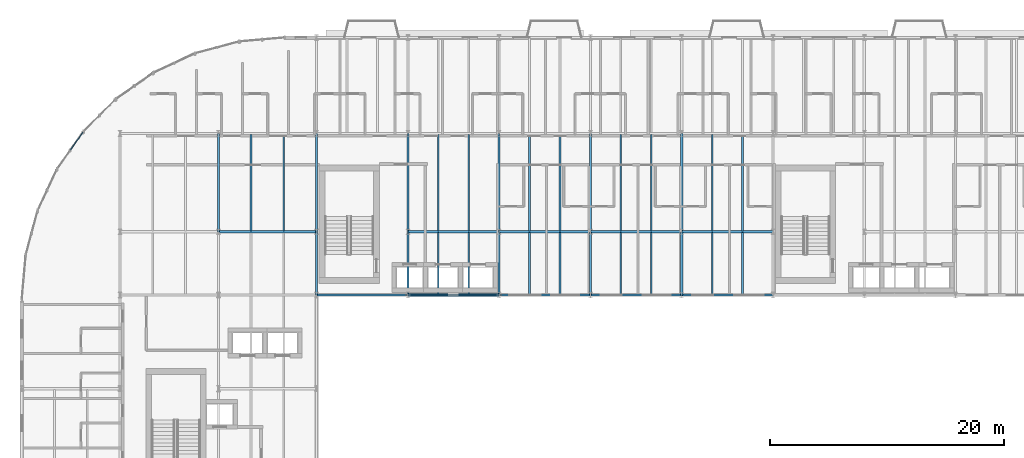
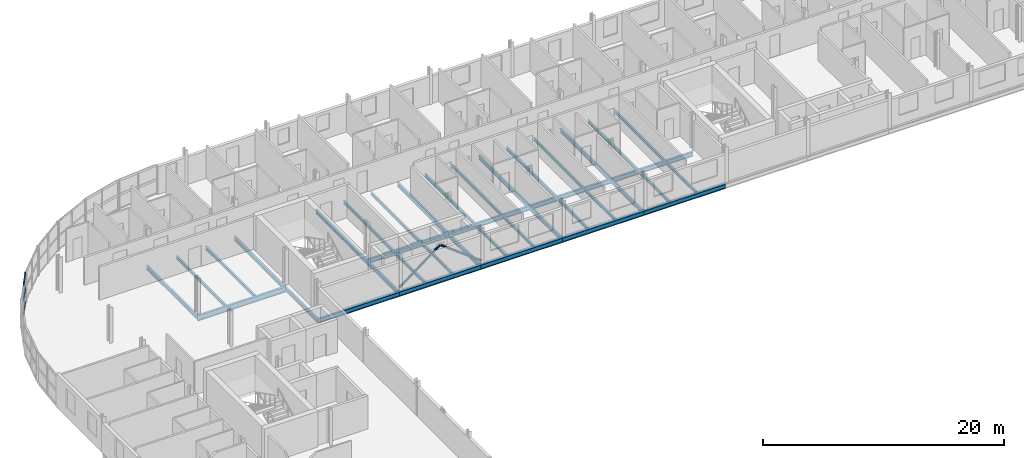
# One storey, part 10 of 36: 39 beams, 5 members, 1 element without a shape of its own.
"""IFC4 building model written with IfcOpenShell, lengths in metres."""

from ifc_helpers import new_model, si_unit, direction, frame, origin, origin_2d, place, context, subcontext, project, spatial, rectangle, hollow_circle, i_section, extrude, material, layer, layer_set, material_profile, profile_set, type_object, element, aggregate, save


model = new_model("IFC4")

# Units and contexts
model_context = context("Model", 3, precision=1e-05, world=origin(), true_north=direction((0.0, 1.0)))
body_context = subcontext(model_context, "Body", "Model", "MODEL_VIEW")
ifc_project = project(units=[si_unit("LENGTHUNIT", "METRE"), si_unit("AREAUNIT", "SQUARE_METRE"), si_unit("VOLUMEUNIT", "CUBIC_METRE"), si_unit("PLANEANGLEUNIT", "RADIAN"), si_unit("MASSUNIT", "GRAM", prefix="KILO")], contexts=[model_context])

# Site, building, storey
site_placement = place(None, origin())
site = spatial("IfcSite", under=ifc_project, at=site_placement, CompositionType="ELEMENT")
building_placement = place(site_placement, origin())
building = spatial("IfcBuilding", under=site, at=building_placement, Name="Sefraquen Railside Congress Hotel", CompositionType="ELEMENT")
storey_placement = place(building_placement, frame((0.0, 0.0, 28.199951171875)))
storey = spatial("IfcBuildingStorey", under=building, at=storey_placement, Name="L06", CompositionType="ELEMENT", Elevation=28.199951171875)

# Beams
ifc_material_1 = material(Name="Steel S355JR", Category="steel")
ifc_material_profile_1 = material_profile(ifc_material_1, i_section(OverallWidth=0.179931640625, OverallDepth=0.39990234375, WebThickness=0.008544921875, FlangeThickness=0.013427734375, FilletRadius=0.02099609375, at=origin_2d()), Name="IPE 400")
ifc_profile_set_1 = profile_set([ifc_material_profile_1], Name="Steel S355JR")
beam_type_1 = type_object("IfcBeamType", Name="TB-BM-400I", PredefinedType="BEAM", material=ifc_profile_set_1)
beam_1_placement = place(storey_placement, frame((16.800048828125, 101.39990234375, -0.4599609375), z_axis=(0.0, 1.0, 0.0), x_axis=(-1.0, 0.0, 0.0)))
element("IfcBeam", 1, at=beam_1_placement, inside=storey, type_object=beam_type_1, Name="Floor beam BM-L06-1663", PredefinedType="BEAM", context=body_context, shape_type="SweptSolid", body=[
    extrude(i_section(OverallWidth=0.179931640625, OverallDepth=0.39990234375, WebThickness=0.008544921875, FlangeThickness=0.013427734375, FilletRadius=0.02099609375, at=origin_2d()), origin(), (0.0, 0.0, 1.0), 8.400146484375),
])
beam_2_placement = place(storey_placement, frame((25.199951171875, 96.0, -0.4599609375), z_axis=(0.0, 1.0, 0.0), x_axis=(-1.0, 0.0, 0.0)))
element("IfcBeam", 2, at=beam_2_placement, inside=storey, type_object=beam_type_1, Name="Floor beam BM-L06-1668", PredefinedType="BEAM", context=body_context, shape_type="SweptSolid", body=[
    extrude(i_section(OverallWidth=0.179931640625, OverallDepth=0.39990234375, WebThickness=0.008544921875, FlangeThickness=0.013427734375, FilletRadius=0.02099609375, at=origin_2d()), origin(), (0.0, 0.0, 1.0), 5.39990234375),
])
beam_3_placement = place(storey_placement, frame((25.199951171875, 101.39990234375, -0.4599609375), z_axis=(0.0, 1.0, 0.0), x_axis=(-1.0, 0.0, 0.0)))
element("IfcBeam", 3, at=beam_3_placement, inside=storey, type_object=beam_type_1, Name="Floor beam BM-L06-1669", PredefinedType="BEAM", context=body_context, shape_type="SweptSolid", body=[
    extrude(i_section(OverallWidth=0.179931640625, OverallDepth=0.39990234375, WebThickness=0.008544921875, FlangeThickness=0.013427734375, FilletRadius=0.02099609375, at=origin_2d()), origin(), (0.0, 0.0, 1.0), 8.400146484375),
])
beam_4_placement = place(storey_placement, frame((33.0, 96.0, -0.4599609375), z_axis=(0.0, 1.0, 0.0), x_axis=(-1.0, 0.0, 0.0)))
element("IfcBeam", 4, at=beam_4_placement, inside=storey, type_object=beam_type_1, Name="Floor beam BM-L06-1671", PredefinedType="BEAM", context=body_context, shape_type="SweptSolid", body=[
    extrude(i_section(OverallWidth=0.179931640625, OverallDepth=0.39990234375, WebThickness=0.008544921875, FlangeThickness=0.013427734375, FilletRadius=0.02099609375, at=origin_2d()), origin(), (0.0, 0.0, 1.0), 5.39990234375),
])
beam_5_placement = place(storey_placement, frame((33.0, 101.39990234375, -0.4599609375), z_axis=(0.0, 1.0, 0.0), x_axis=(-1.0, 0.0, 0.0)))
element("IfcBeam", 5, at=beam_5_placement, inside=storey, type_object=beam_type_1, Name="Floor beam BM-L06-1672", PredefinedType="BEAM", context=body_context, shape_type="SweptSolid", body=[
    extrude(i_section(OverallWidth=0.179931640625, OverallDepth=0.39990234375, WebThickness=0.008544921875, FlangeThickness=0.013427734375, FilletRadius=0.02099609375, at=origin_2d()), origin(), (0.0, 0.0, 1.0), 8.400146484375),
])
beam_6_placement = place(storey_placement, frame((40.800048828125, 96.0, -0.4599609375), z_axis=(0.0, 1.0, 0.0), x_axis=(-1.0, 0.0, 0.0)))
element("IfcBeam", 6, at=beam_6_placement, inside=storey, type_object=beam_type_1, Name="Floor beam BM-L06-1674", PredefinedType="BEAM", context=body_context, shape_type="SweptSolid", body=[
    extrude(i_section(OverallWidth=0.179931640625, OverallDepth=0.39990234375, WebThickness=0.008544921875, FlangeThickness=0.013427734375, FilletRadius=0.02099609375, at=origin_2d()), origin(), (0.0, 0.0, 1.0), 5.39990234375),
])
beam_7_placement = place(storey_placement, frame((40.800048828125, 101.39990234375, -0.4599609375), z_axis=(0.0, 1.0, 0.0), x_axis=(-1.0, 0.0, 0.0)))
element("IfcBeam", 7, at=beam_7_placement, inside=storey, type_object=beam_type_1, Name="Floor beam BM-L06-1675", PredefinedType="BEAM", context=body_context, shape_type="SweptSolid", body=[
    extrude(i_section(OverallWidth=0.179931640625, OverallDepth=0.39990234375, WebThickness=0.008544921875, FlangeThickness=0.013427734375, FilletRadius=0.02099609375, at=origin_2d()), origin(), (0.0, 0.0, 1.0), 8.400146484375),
])
beam_8_placement = place(storey_placement, frame((48.60009765625, 96.0, -0.4599609375), z_axis=(0.0, 1.0, 0.0), x_axis=(-1.0, 0.0, 0.0)))
element("IfcBeam", 8, at=beam_8_placement, inside=storey, type_object=beam_type_1, Name="Floor beam BM-L06-1677", PredefinedType="BEAM", context=body_context, shape_type="SweptSolid", body=[
    extrude(i_section(OverallWidth=0.179931640625, OverallDepth=0.39990234375, WebThickness=0.008544921875, FlangeThickness=0.013427734375, FilletRadius=0.02099609375, at=origin_2d()), origin(), (0.0, 0.0, 1.0), 5.39990234375),
])
beam_9_placement = place(storey_placement, frame((48.60009765625, 101.39990234375, -0.4599609375), z_axis=(0.0, 1.0, 0.0), x_axis=(-1.0, 0.0, 0.0)))
element("IfcBeam", 9, at=beam_9_placement, inside=storey, type_object=beam_type_1, Name="Floor beam BM-L06-1678", PredefinedType="BEAM", context=body_context, shape_type="SweptSolid", body=[
    extrude(i_section(OverallWidth=0.179931640625, OverallDepth=0.39990234375, WebThickness=0.008544921875, FlangeThickness=0.013427734375, FilletRadius=0.02099609375, at=origin_2d()), origin(), (0.0, 0.0, 1.0), 8.400146484375),
])
beam_10_placement = place(storey_placement, frame((56.39990234375, 96.0, -0.4599609375), z_axis=(0.0, 1.0, 0.0), x_axis=(-1.0, 0.0, 0.0)))
element("IfcBeam", 10, at=beam_10_placement, inside=storey, type_object=beam_type_1, Name="Floor beam BM-L06-1680", PredefinedType="BEAM", context=body_context, shape_type="SweptSolid", body=[
    extrude(i_section(OverallWidth=0.179931640625, OverallDepth=0.39990234375, WebThickness=0.008544921875, FlangeThickness=0.013427734375, FilletRadius=0.02099609375, at=origin_2d()), origin(), (0.0, 0.0, 1.0), 5.39990234375),
])
beam_11_placement = place(storey_placement, frame((56.39990234375, 101.39990234375, -0.4599609375), z_axis=(0.0, 1.0, 0.0), x_axis=(-1.0, 0.0, 0.0)))
element("IfcBeam", 11, at=beam_11_placement, inside=storey, type_object=beam_type_1, Name="Floor beam BM-L06-1681", PredefinedType="BEAM", context=body_context, shape_type="SweptSolid", body=[
    extrude(i_section(OverallWidth=0.179931640625, OverallDepth=0.39990234375, WebThickness=0.008544921875, FlangeThickness=0.013427734375, FilletRadius=0.02099609375, at=origin_2d()), origin(), (0.0, 0.0, 1.0), 8.400146484375),
])
ifc_material_profile_2 = material_profile(ifc_material_1, i_section(OverallWidth=0.18994140625, OverallDepth=0.449951171875, WebThickness=0.009521484375, FlangeThickness=0.0146484375, FilletRadius=0.02099609375, at=origin_2d()), Name="IPE 450")
ifc_profile_set_2 = profile_set([ifc_material_profile_2], Name="Steel S355JR")
beam_type_2 = type_object("IfcBeamType", Name="TB-BM-450", PredefinedType="BEAM", material=ifc_profile_set_2)
for number, where, z_axis, x_axis, name in (
    (12, (25.199951171875, 96.0, -0.48486328125), (1.0, 0.0, 0.0), (0.0, 1.0, 0.0), "Primary girder BM-L06-1599"),
    (13, (33.0, 96.0, -0.48486328125), (1.0, 0.0, 0.0), (0.0, 1.0, 0.0), "Primary girder BM-L06-1600"),
    (14, (40.800048828125, 96.0, -0.48486328125), (1.0, 0.0, 0.0), (0.0, 1.0, 0.0), "Primary girder BM-L06-1601"),
):
    element("IfcBeam", number, at=place(storey_placement, frame(where, z_axis=z_axis, x_axis=x_axis)), inside=storey, type_object=beam_type_2, Name=name, PredefinedType="BEAM", context=body_context, shape_type="SweptSolid", body=[
        extrude(i_section(OverallWidth=0.18994140625, OverallDepth=0.449951171875, WebThickness=0.009521484375, FlangeThickness=0.0146484375, FilletRadius=0.02099609375, at=origin_2d()), origin(), (0.0, 0.0, 1.0), 7.800048828125),
    ])
beam_12_placement = place(storey_placement, frame((48.60009765625, 96.0, -0.48486328125), z_axis=(1.0, 0.0, 0.0), x_axis=(0.0, 1.0, 0.0)))
element("IfcBeam", 15, at=beam_12_placement, inside=storey, type_object=beam_type_2, Name="Primary girder BM-L06-1602", PredefinedType="BEAM", context=body_context, shape_type="SweptSolid", body=[
    extrude(i_section(OverallWidth=0.18994140625, OverallDepth=0.449951171875, WebThickness=0.009521484375, FlangeThickness=0.0146484375, FilletRadius=0.02099609375, at=origin_2d()), origin(), (0.0, 0.0, 1.0), 7.7998046875),
])
for number, where, z_axis, x_axis, name in (
    (16, (56.39990234375, 96.0, -0.48486328125), (1.0, 0.0, 0.0), (0.0, 1.0, 0.0), "Primary girder BM-L06-1603"),
    (17, (33.0, 101.39990234375, -0.48486328125), (1.0, 0.0, 0.0), (0.0, 1.0, 0.0), "Primary girder BM-L06-1613"),
    (18, (40.800048828125, 101.39990234375, -0.48486328125), (1.0, 0.0, 0.0), (0.0, 1.0, 0.0), "Primary girder BM-L06-1614"),
):
    element("IfcBeam", number, at=place(storey_placement, frame(where, z_axis=z_axis, x_axis=x_axis)), inside=storey, type_object=beam_type_2, Name=name, PredefinedType="BEAM", context=body_context, shape_type="SweptSolid", body=[
        extrude(i_section(OverallWidth=0.18994140625, OverallDepth=0.449951171875, WebThickness=0.009521484375, FlangeThickness=0.0146484375, FilletRadius=0.02099609375, at=origin_2d()), origin(), (0.0, 0.0, 1.0), 7.800048828125),
    ])
beam_13_placement = place(storey_placement, frame((48.60009765625, 101.39990234375, -0.48486328125), z_axis=(1.0, 0.0, 0.0), x_axis=(0.0, 1.0, 0.0)))
element("IfcBeam", 19, at=beam_13_placement, inside=storey, type_object=beam_type_2, Name="Primary girder BM-L06-1615", PredefinedType="BEAM", context=body_context, shape_type="SweptSolid", body=[
    extrude(i_section(OverallWidth=0.18994140625, OverallDepth=0.449951171875, WebThickness=0.009521484375, FlangeThickness=0.0146484375, FilletRadius=0.02099609375, at=origin_2d()), origin(), (0.0, 0.0, 1.0), 7.7998046875),
])
beam_14_placement = place(storey_placement, frame((56.39990234375, 101.39990234375, -0.48486328125), z_axis=(1.0, 0.0, 0.0), x_axis=(0.0, 1.0, 0.0)))
element("IfcBeam", 20, at=beam_14_placement, inside=storey, type_object=beam_type_2, Name="Primary girder BM-L06-1616", PredefinedType="BEAM", context=body_context, shape_type="SweptSolid", body=[
    extrude(i_section(OverallWidth=0.18994140625, OverallDepth=0.449951171875, WebThickness=0.009521484375, FlangeThickness=0.0146484375, FilletRadius=0.02099609375, at=origin_2d()), origin(), (0.0, 0.0, 1.0), 7.800048828125),
])
ifc_material_profile_3 = material_profile(ifc_material_1, i_section(OverallWidth=0.2099609375, OverallDepth=0.550048828125, WebThickness=0.010986328125, FlangeThickness=0.01708984375, FilletRadius=0.02392578125, at=origin_2d()), Name="IPE 550")
ifc_profile_set_3 = profile_set([ifc_material_profile_3], Name="Steel S355JR")
beam_type_3 = type_object("IfcBeamType", Name="TB-GIR-550", PredefinedType="T_BEAM", material=ifc_profile_set_3)
beam_15_placement = place(storey_placement, frame((16.800048828125, 101.39990234375, -0.534912109375), z_axis=(1.0, 0.0, 0.0), x_axis=(0.0, 1.0, 0.0)))
element("IfcBeam", 21, at=beam_15_placement, inside=storey, type_object=beam_type_3, Name="Primary girder BM-L06-1612", PredefinedType="T_BEAM", context=body_context, shape_type="SweptSolid", body=[
    extrude(i_section(OverallWidth=0.2099609375, OverallDepth=0.550048828125, WebThickness=0.010986328125, FlangeThickness=0.01708984375, FilletRadius=0.02392578125, at=origin_2d()), origin(), (0.0, 0.0, 1.0), 8.39990234375),
])
ifc_material_profile_4 = material_profile(ifc_material_1, i_section(OverallWidth=0.14990234375, OverallDepth=0.300048828125, WebThickness=0.007080078125, FlangeThickness=0.0107421875, FilletRadius=0.014892578125, at=origin_2d()), Name="IPE 300")
ifc_profile_set_4 = profile_set([ifc_material_profile_4], Name="Steel S355JR")
beam_type_4 = type_object("IfcBeamType", Name="TB-JST-300", PredefinedType="JOIST", material=ifc_profile_set_4)
for number, where, z_axis, x_axis, name in (
    (22, (19.60009765625, 101.485107421875, -0.409912109375), (0.0, 1.0, 0.0), (-1.0, 0.0, 0.0), "Composite floor joist BM-L06-J1078"),
    (23, (22.39990234375, 101.485107421875, -0.409912109375), (0.0, 1.0, 0.0), (-1.0, 0.0, 0.0), "Composite floor joist BM-L06-J1079"),
):
    element("IfcBeam", number, at=place(storey_placement, frame(where, z_axis=z_axis, x_axis=x_axis)), inside=storey, type_object=beam_type_4, Name=name, PredefinedType="JOIST", context=body_context, shape_type="SweptSolid", body=[
        extrude(i_section(OverallWidth=0.14990234375, OverallDepth=0.300048828125, WebThickness=0.007080078125, FlangeThickness=0.0107421875, FilletRadius=0.014892578125, at=origin_2d()), origin(), (0.0, 0.0, 1.0), 8.22998046875),
    ])
for number, where, z_axis, x_axis, name in (
    (24, (35.60009765625, 96.074951171875, -0.409912109375), (0.0, 1.0, 0.0), (-1.0, 0.0, 0.0), "Composite floor joist BM-L06-J1082"),
    (25, (38.199951171875, 96.074951171875, -0.409912109375), (0.0, 1.0, 0.0), (-1.0, 0.0, 0.0), "Composite floor joist BM-L06-J1083"),
):
    element("IfcBeam", number, at=place(storey_placement, frame(where, z_axis=z_axis, x_axis=x_axis)), inside=storey, type_object=beam_type_4, Name=name, PredefinedType="JOIST", context=body_context, shape_type="SweptSolid", body=[
        extrude(i_section(OverallWidth=0.14990234375, OverallDepth=0.300048828125, WebThickness=0.007080078125, FlangeThickness=0.0107421875, FilletRadius=0.014892578125, at=origin_2d()), origin(), (0.0, 0.0, 1.0), 5.25),
    ])
for number, where, z_axis, x_axis, name in (
    (26, (35.60009765625, 101.47509765625, -0.409912109375), (0.0, 1.0, 0.0), (-1.0, 0.0, 0.0), "Composite floor joist BM-L06-J1084"),
    (27, (38.199951171875, 101.47509765625, -0.409912109375), (0.0, 1.0, 0.0), (-1.0, 0.0, 0.0), "Composite floor joist BM-L06-J1085"),
):
    element("IfcBeam", number, at=place(storey_placement, frame(where, z_axis=z_axis, x_axis=x_axis)), inside=storey, type_object=beam_type_4, Name=name, PredefinedType="JOIST", context=body_context, shape_type="SweptSolid", body=[
        extrude(i_section(OverallWidth=0.14990234375, OverallDepth=0.300048828125, WebThickness=0.007080078125, FlangeThickness=0.0107421875, FilletRadius=0.014892578125, at=origin_2d()), origin(), (0.0, 0.0, 1.0), 8.25),
    ])
for number, where, z_axis, x_axis, name in (
    (28, (43.39990234375, 96.074951171875, -0.409912109375), (0.0, 1.0, 0.0), (-1.0, 0.0, 0.0), "Composite floor joist BM-L06-J1088"),
    (29, (46.0, 96.074951171875, -0.409912109375), (0.0, 1.0, 0.0), (-1.0, 0.0, 0.0), "Composite floor joist BM-L06-J1089"),
):
    element("IfcBeam", number, at=place(storey_placement, frame(where, z_axis=z_axis, x_axis=x_axis)), inside=storey, type_object=beam_type_4, Name=name, PredefinedType="JOIST", context=body_context, shape_type="SweptSolid", body=[
        extrude(i_section(OverallWidth=0.14990234375, OverallDepth=0.300048828125, WebThickness=0.007080078125, FlangeThickness=0.0107421875, FilletRadius=0.014892578125, at=origin_2d()), origin(), (0.0, 0.0, 1.0), 5.25),
    ])
for number, where, z_axis, x_axis, name in (
    (30, (43.39990234375, 101.47509765625, -0.409912109375), (0.0, 1.0, 0.0), (-1.0, 0.0, 0.0), "Composite floor joist BM-L06-J1090"),
    (31, (46.0, 101.47509765625, -0.409912109375), (0.0, 1.0, 0.0), (-1.0, 0.0, 0.0), "Composite floor joist BM-L06-J1091"),
):
    element("IfcBeam", number, at=place(storey_placement, frame(where, z_axis=z_axis, x_axis=x_axis)), inside=storey, type_object=beam_type_4, Name=name, PredefinedType="JOIST", context=body_context, shape_type="SweptSolid", body=[
        extrude(i_section(OverallWidth=0.14990234375, OverallDepth=0.300048828125, WebThickness=0.007080078125, FlangeThickness=0.0107421875, FilletRadius=0.014892578125, at=origin_2d()), origin(), (0.0, 0.0, 1.0), 8.25),
    ])
for number, where, z_axis, x_axis, name in (
    (32, (51.199951171875, 96.074951171875, -0.409912109375), (0.0, 1.0, 0.0), (-1.0, 0.0, 0.0), "Composite floor joist BM-L06-J1094"),
    (33, (53.800048828125, 96.074951171875, -0.409912109375), (0.0, 1.0, 0.0), (-1.0, 0.0, 0.0), "Composite floor joist BM-L06-J1095"),
):
    element("IfcBeam", number, at=place(storey_placement, frame(where, z_axis=z_axis, x_axis=x_axis)), inside=storey, type_object=beam_type_4, Name=name, PredefinedType="JOIST", context=body_context, shape_type="SweptSolid", body=[
        extrude(i_section(OverallWidth=0.14990234375, OverallDepth=0.300048828125, WebThickness=0.007080078125, FlangeThickness=0.0107421875, FilletRadius=0.014892578125, at=origin_2d()), origin(), (0.0, 0.0, 1.0), 5.25),
    ])
for number, where, z_axis, x_axis, name in (
    (34, (51.199951171875, 101.47509765625, -0.409912109375), (0.0, 1.0, 0.0), (-1.0, 0.0, 0.0), "Composite floor joist BM-L06-J1096"),
    (35, (53.800048828125, 101.47509765625, -0.409912109375), (0.0, 1.0, 0.0), (-1.0, 0.0, 0.0), "Composite floor joist BM-L06-J1097"),
):
    element("IfcBeam", number, at=place(storey_placement, frame(where, z_axis=z_axis, x_axis=x_axis)), inside=storey, type_object=beam_type_4, Name=name, PredefinedType="JOIST", context=body_context, shape_type="SweptSolid", body=[
        extrude(i_section(OverallWidth=0.14990234375, OverallDepth=0.300048828125, WebThickness=0.007080078125, FlangeThickness=0.0107421875, FilletRadius=0.014892578125, at=origin_2d()), origin(), (0.0, 0.0, 1.0), 8.25),
    ])
for number, where, z_axis, x_axis, name in (
    (36, (59.0, 96.074951171875, -0.409912109375), (0.0, 1.0, 0.0), (-1.0, 0.0, 0.0), "Composite floor joist BM-L06-J1100"),
    (37, (61.60009765625, 96.074951171875, -0.409912109375), (0.0, 1.0, 0.0), (-1.0, 0.0, 0.0), "Composite floor joist BM-L06-J1101"),
):
    element("IfcBeam", number, at=place(storey_placement, frame(where, z_axis=z_axis, x_axis=x_axis)), inside=storey, type_object=beam_type_4, Name=name, PredefinedType="JOIST", context=body_context, shape_type="SweptSolid", body=[
        extrude(i_section(OverallWidth=0.14990234375, OverallDepth=0.300048828125, WebThickness=0.007080078125, FlangeThickness=0.0107421875, FilletRadius=0.014892578125, at=origin_2d()), origin(), (0.0, 0.0, 1.0), 5.25),
    ])
for number, where, z_axis, x_axis, name in (
    (38, (59.0, 101.47509765625, -0.409912109375), (0.0, 1.0, 0.0), (-1.0, 0.0, 0.0), "Composite floor joist BM-L06-J1102"),
    (39, (61.60009765625, 101.47509765625, -0.409912109375), (0.0, 1.0, 0.0), (-1.0, 0.0, 0.0), "Composite floor joist BM-L06-J1103"),
):
    element("IfcBeam", number, at=place(storey_placement, frame(where, z_axis=z_axis, x_axis=x_axis)), inside=storey, type_object=beam_type_4, Name=name, PredefinedType="JOIST", context=body_context, shape_type="SweptSolid", body=[
        extrude(i_section(OverallWidth=0.14990234375, OverallDepth=0.300048828125, WebThickness=0.007080078125, FlangeThickness=0.0107421875, FilletRadius=0.014892578125, at=origin_2d()), origin(), (0.0, 0.0, 1.0), 8.25),
    ])

# Members
ifc_material_2 = material(Name="Steel S355J2", Category="steel")
ifc_material_profile_5 = material_profile(ifc_material_2, hollow_circle(Radius=0.109619140625, WallThickness=0.010009765625, at=origin_2d()), Name="CHS 219.1x10")
ifc_profile_set_5 = profile_set([ifc_material_profile_5], Name="Steel S355J2")
member_type_1 = type_object("IfcMemberType", Name="TM-BR-219", PredefinedType="BRACE", material=ifc_profile_set_5)
member_1_placement = place(storey_placement, frame((33.0, 96.0, 0.150146484375), z_axis=(0.796552153169, 0.0, 0.604569820022), x_axis=(0.0, 1.0, 0.0)))
element("IfcMember", 40, at=member_1_placement, inside=storey, type_object=member_type_1, Name="Chevron braced-frame diagonal BF1-L L06", PredefinedType="BRACE", context=body_context, shape_type="SweptSolid", body=[
    extrude(hollow_circle(Radius=0.109619140625, WallThickness=0.010009765625, at=origin_2d()), origin(), (0.0, 0.0, 1.0), 4.89599609375),
])
member_2_placement = place(storey_placement, frame((40.800048828125, 96.0, 0.150146484375), z_axis=(-0.796570378172, 0.0, 0.604545806883), x_axis=(0.0, -1.0, 0.0)))
element("IfcMember", 41, at=member_2_placement, inside=storey, type_object=member_type_1, Name="Chevron braced-frame diagonal BF1-R L06", PredefinedType="BRACE", context=body_context, shape_type="SweptSolid", body=[
    extrude(hollow_circle(Radius=0.109619140625, WallThickness=0.010009765625, at=origin_2d()), origin(), (0.0, 0.0, 1.0), 4.896240234375),
])

# Curtain wall, members
ifc_material_3 = material(Name="Thermally broken anodised aluminium and low-E double glazing", Category="aluminium")
ifc_layer = layer(ifc_material_3, 0.199951171875)
ifc_layer_set = layer_set([ifc_layer], Name="Thermally broken anodised aluminium and low-E double glazing")
curtain_wall_type = type_object("IfcCurtainWallType", Name="TCW-UCW-28", PredefinedType="USERDEFINED", material=ifc_layer_set)
curtain_wall_placement = place(storey_placement, origin())
curtain_wall = element("IfcCurtainWall", 42, at=curtain_wall_placement, inside=storey, type_object=curtain_wall_type, Name="Rotunda L06 curved curtain wall facet 6", ObjectType="UNITISED CURTAIN WALL", PredefinedType="USERDEFINED")
ifc_material_4 = material(Name="Thermally broken anodised aluminium 6063-T6", Category="aluminium")
ifc_material_profile_6 = material_profile(ifc_material_4, rectangle(XDim=0.074951171875, YDim=0.1650390625, at=origin_2d()), Name="CWT 75x165")
ifc_profile_set_6 = profile_set([ifc_material_profile_6], Name="Thermally broken anodised aluminium 6063-T6")
member_type_2 = type_object("IfcMemberType", Name="TM-CWT-04", PredefinedType="USERDEFINED", material=ifc_profile_set_6)
member_3_placement = place(storey_placement, frame((5.21533203125, 109.89306640625, 0.0), z_axis=(-0.573632363976, -0.819112880499, 0.0), x_axis=(0.819112880499, -0.573632363976, 0.0)))
member_3 = element("IfcMember", 43, at=member_3_placement, type_object=member_type_2, Name="CW-L06-ROT-06 transom 1.1", ObjectType="TRANSOM", PredefinedType="USERDEFINED", context=body_context, shape_type="SweptSolid", body=[
    extrude(rectangle(XDim=0.074951171875, YDim=0.1650390625, at=origin_2d()), origin(), (0.0, 0.0, 1.0), 1.8310546875),
])
member_4_placement = place(storey_placement, frame((5.21533203125, 109.89306640625, 1.455078125), z_axis=(-0.573632363976, -0.819112880499, 0.0), x_axis=(0.819112880499, -0.573632363976, 0.0)))
member_4 = element("IfcMember", 44, at=member_4_placement, type_object=member_type_2, Name="CW-L06-ROT-06 transom 2.1", ObjectType="TRANSOM", PredefinedType="USERDEFINED", context=body_context, shape_type="SweptSolid", body=[
    extrude(rectangle(XDim=0.074951171875, YDim=0.1650390625, at=origin_2d()), origin(), (0.0, 0.0, 1.0), 1.8310546875),
])
member_5_placement = place(storey_placement, frame((5.21533203125, 109.89306640625, 2.91015625), z_axis=(-0.573632363976, -0.819112880499, 0.0), x_axis=(0.819112880499, -0.573632363976, 0.0)))
member_5 = element("IfcMember", 45, at=member_5_placement, type_object=member_type_2, Name="CW-L06-ROT-06 transom 3.1", ObjectType="TRANSOM", PredefinedType="USERDEFINED", context=body_context, shape_type="SweptSolid", body=[
    extrude(rectangle(XDim=0.074951171875, YDim=0.1650390625, at=origin_2d()), origin(), (0.0, 0.0, 1.0), 1.8310546875),
])
aggregate(curtain_wall, [member_3, member_4, member_5])

save(model, "model.ifc")
